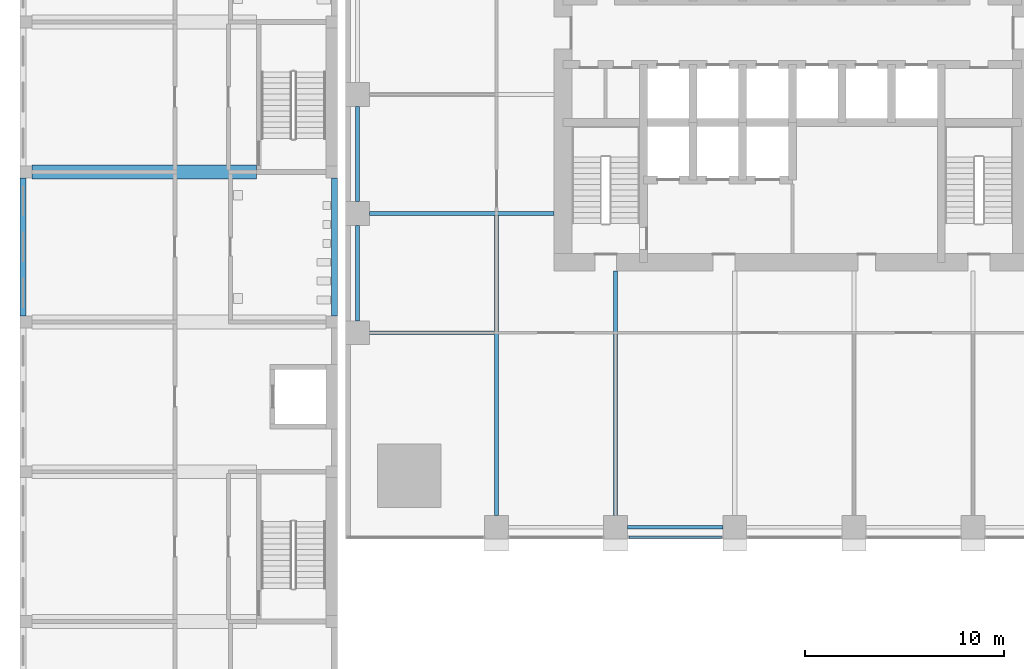
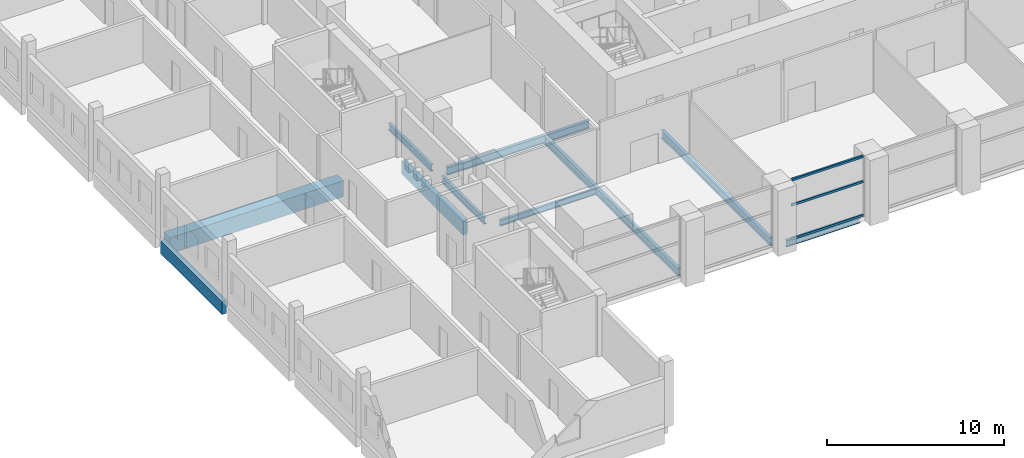
# One storey, part 3 of 34: 10 beams, 3 members, 1 element without a shape of its own.
"""IFC4 building model written with IfcOpenShell, lengths in metres."""

from ifc_helpers import new_model, si_unit, direction, frame, origin, origin_2d, place, context, subcontext, project, spatial, rectangle, i_section, extrude, material, material_profile, profile_set, type_object, element, aggregate, save


model = new_model("IFC4")

# Units and contexts
model_context = context("Model", 3, precision=1e-05, world=origin(), true_north=direction((0.0, 1.0)))
body_context = subcontext(model_context, "Body", "Model", "MODEL_VIEW")
ifc_project = project(units=[si_unit("LENGTHUNIT", "METRE"), si_unit("AREAUNIT", "SQUARE_METRE"), si_unit("VOLUMEUNIT", "CUBIC_METRE"), si_unit("PLANEANGLEUNIT", "RADIAN"), si_unit("MASSUNIT", "GRAM", prefix="KILO")], contexts=[model_context])

# Site, building, storey
site_placement = place(None, origin())
site = spatial("IfcSite", under=ifc_project, at=site_placement, CompositionType="ELEMENT")
building_placement = place(site_placement, origin())
building = spatial("IfcBuilding", under=site, at=building_placement, Name="Amberfall Residences", CompositionType="ELEMENT")
storey_placement = place(building_placement, frame((0.0, 0.0, 5.5)))
storey = spatial("IfcBuildingStorey", under=building, at=storey_placement, Name="L01", CompositionType="ELEMENT", Elevation=5.5)

# Curtain wall, members
ifc_material_1 = material(Name="Bronze anodised aluminium and glass", Category="aluminium")
curtain_wall_type = type_object("IfcCurtainWallType", Name="Curtain wall CW4 podium storefront", PredefinedType="USERDEFINED", material=ifc_material_1)
curtain_wall_placement = place(storey_placement, origin())
curtain_wall = element("IfcCurtainWall", 1, at=curtain_wall_placement, inside=storey, type_object=curtain_wall_type, Name="Storefront L01 S3", ObjectType="UNITISED CURTAIN WALL", PredefinedType="USERDEFINED")
ifc_material_2 = material(Name="Bronze anodised aluminium", Category="aluminium")
ifc_material_profile_1 = material_profile(ifc_material_2, rectangle(XDim=0.1201171875, YDim=0.14990234375, at=origin_2d()), Name="CW4 transom 120 x 150 bronze")
ifc_profile_set_1 = profile_set([ifc_material_profile_1], Name="Bronze anodised aluminium")
member_type = type_object("IfcMemberType", Name="CW4 transom 120 x 150 bronze", PredefinedType="USERDEFINED", material=ifc_profile_set_1)
member_1_placement = place(storey_placement, frame((66.27001953125, 20.10009765625, 0.074951171875), z_axis=(1.0, 0.0, 0.0), x_axis=(0.0, 1.0, 0.0)))
member_1 = element("IfcMember", 2, at=member_1_placement, type_object=member_type, Name="CW4 transom 1.1", ObjectType="TRANSOM", PredefinedType="USERDEFINED", context=body_context, shape_type="SweptSolid", body=[
    extrude(rectangle(XDim=0.1201171875, YDim=0.14990234375, at=origin_2d()), origin(), (0.0, 0.0, 1.0), 4.659912109375),
])
member_2_placement = place(storey_placement, frame((66.27001953125, 20.10009765625, 2.39990234375), z_axis=(1.0, 0.0, 0.0), x_axis=(0.0, 1.0, 0.0)))
member_2 = element("IfcMember", 3, at=member_2_placement, type_object=member_type, Name="CW4 transom 1.2", ObjectType="TRANSOM", PredefinedType="USERDEFINED", context=body_context, shape_type="SweptSolid", body=[
    extrude(rectangle(XDim=0.1201171875, YDim=0.14990234375, at=origin_2d()), origin(), (0.0, 0.0, 1.0), 4.659912109375),
])
member_3_placement = place(storey_placement, frame((66.27001953125, 20.10009765625, 4.125), z_axis=(1.0, 0.0, 0.0), x_axis=(0.0, 1.0, 0.0)))
member_3 = element("IfcMember", 4, at=member_3_placement, type_object=member_type, Name="CW4 transom 1.3", ObjectType="TRANSOM", PredefinedType="USERDEFINED", context=body_context, shape_type="SweptSolid", body=[
    extrude(rectangle(XDim=0.1201171875, YDim=0.14990234375, at=origin_2d()), origin(), (0.0, 0.0, 1.0), 4.659912109375),
])
aggregate(curtain_wall, [member_1, member_2, member_3])

# Beams
ifc_material_3 = material(Name="Steel S355", Category="steel")
ifc_material_profile_2 = material_profile(ifc_material_3, i_section(OverallWidth=0.18994140625, OverallDepth=0.453369140625, WebThickness=0.008544921875, FlangeThickness=0.0126953125, FilletRadius=0.01025390625, at=origin_2d()), Name="UB 457x191x67")
ifc_profile_set_2 = profile_set([ifc_material_profile_2], Name="Steel S355")
beam_type_1 = type_object("IfcBeamType", Name="Edge beam UB 457x191x67", PredefinedType="SPANDREL", material=ifc_profile_set_2)
for number, where, z_axis, x_axis, name in (
    (5, (66.199951171875, 20.60009765625, -0.526611328125), (1.0, 0.0, 0.0), (0.0, 1.0, 0.0), "Edge beam B1 L01 02"),
    (6, (52.60009765625, 31.0, -0.526611328125), (0.0, 1.0, 0.0), (-1.0, 0.0, 0.0), "Edge beam B1 L01 34"),
    (7, (52.60009765625, 37.0, -0.526611328125), (0.0, 1.0, 0.0), (-1.0, 0.0, 0.0), "Edge beam B1 L01 35"),
):
    element("IfcBeam", number, at=place(storey_placement, frame(where, z_axis=z_axis, x_axis=x_axis)), inside=storey, type_object=beam_type_1, Name=name, PredefinedType="SPANDREL", context=body_context, shape_type="SweptSolid", body=[
        extrude(i_section(OverallWidth=0.18994140625, OverallDepth=0.453369140625, WebThickness=0.008544921875, FlangeThickness=0.0126953125, FilletRadius=0.01025390625, at=origin_2d()), origin(), (0.0, 0.0, 1.0), 4.800048828125),
    ])
ifc_material_profile_3 = material_profile(ifc_material_3, i_section(OverallWidth=0.177734375, OverallDepth=0.402587890625, WebThickness=0.0078125, FlangeThickness=0.010986328125, FilletRadius=0.01025390625, at=origin_2d()), Name="UB 406x178x54")
ifc_profile_set_3 = profile_set([ifc_material_profile_3], Name="Steel S355")
beam_type_2 = type_object("IfcBeamType", Name="Floor girder UB 406x178x54", PredefinedType="BEAM", material=ifc_profile_set_3)
beam_1_placement = place(storey_placement, frame((53.199951171875, 30.39990234375, -0.501220703125), z_axis=(1.0, 0.0, 0.0), x_axis=(0.0, 1.0, 0.0)))
element("IfcBeam", 8, at=beam_1_placement, inside=storey, type_object=beam_type_2, Name="Floor girder B4 L01 39", PredefinedType="BEAM", context=body_context, shape_type="SweptSolid", body=[
    extrude(i_section(OverallWidth=0.177734375, OverallDepth=0.402587890625, WebThickness=0.0078125, FlangeThickness=0.010986328125, FilletRadius=0.01025390625, at=origin_2d()), origin(), (0.0, 0.0, 1.0), 6.280029296875),
])
ifc_material_profile_4 = material_profile(ifc_material_3, i_section(OverallWidth=0.210693359375, OverallDepth=0.53955078125, WebThickness=0.01171875, FlangeThickness=0.018798828125, FilletRadius=0.0126953125, at=origin_2d()), Name="UB 533x210x109")
ifc_profile_set_4 = profile_set([ifc_material_profile_4], Name="Steel S355")
beam_type_3 = type_object("IfcBeamType", Name="Floor girder UB 533x210x109", PredefinedType="BEAM", material=ifc_profile_set_4)
beam_2_placement = place(storey_placement, frame((59.60009765625, 21.199951171875, -0.56982421875), z_axis=(0.0, 1.0, 0.0), x_axis=(-1.0, 0.0, 0.0)))
element("IfcBeam", 9, at=beam_2_placement, inside=storey, type_object=beam_type_3, Name="Floor girder B2 L01 06", PredefinedType="BEAM", context=body_context, shape_type="SweptSolid", body=[
    extrude(i_section(OverallWidth=0.210693359375, OverallDepth=0.53955078125, WebThickness=0.01171875, FlangeThickness=0.018798828125, FilletRadius=0.0126953125, at=origin_2d()), origin(), (0.0, 0.0, 1.0), 15.100341796875),
])
beam_3_placement = place(storey_placement, frame((65.60009765625, 21.199951171875, -0.56982421875), z_axis=(0.0, 1.0, 0.0), x_axis=(-1.0, 0.0, 0.0)))
element("IfcBeam", 10, at=beam_3_placement, inside=storey, type_object=beam_type_3, Name="Floor girder B2 L01 07", PredefinedType="BEAM", context=body_context, shape_type="SweptSolid", body=[
    extrude(i_section(OverallWidth=0.210693359375, OverallDepth=0.53955078125, WebThickness=0.01171875, FlangeThickness=0.018798828125, FilletRadius=0.0126953125, at=origin_2d()), origin(), (0.0, 0.0, 1.0), 12.300048828125),
])
ifc_material_profile_5 = material_profile(ifc_material_3, i_section(OverallWidth=0.209228515625, OverallDepth=0.533203125, WebThickness=0.010009765625, FlangeThickness=0.015625, FilletRadius=0.0126953125, at=origin_2d()), Name="UB 533x210x92")
ifc_profile_set_5 = profile_set([ifc_material_profile_5], Name="Steel S355")
beam_type_4 = type_object("IfcBeamType", Name="Floor girder UB 533x210x92", PredefinedType="BEAM", material=ifc_profile_set_5)
beam_4_placement = place(storey_placement, frame((53.199951171875, 36.39990234375, -0.566650390625), z_axis=(1.0, 0.0, 0.0), x_axis=(0.0, 1.0, 0.0)))
element("IfcBeam", 11, at=beam_4_placement, inside=storey, type_object=beam_type_4, Name="Floor girder B3 L01 40", PredefinedType="BEAM", context=body_context, shape_type="SweptSolid", body=[
    extrude(i_section(OverallWidth=0.209228515625, OverallDepth=0.533203125, WebThickness=0.010009765625, FlangeThickness=0.015625, FilletRadius=0.0126953125, at=origin_2d()), origin(), (0.0, 0.0, 1.0), 9.300048828125),
])
ifc_material_4 = material(Name="Concrete C40", Category="concrete")
ifc_material_profile_6 = material_profile(ifc_material_4, rectangle(XDim=0.699951171875, YDim=1.10009765625, at=origin_2d()), Name="School beam 700 x 1100 C40")
ifc_profile_set_6 = profile_set([ifc_material_profile_6], Name="Concrete C40")
beam_type_5 = type_object("IfcBeamType", Name="School beam 700 x 1100 C40", PredefinedType="BEAM", material=ifc_profile_set_6)
beam_5_placement = place(storey_placement, frame((36.199951171875, 38.5, -0.85009765625), z_axis=(1.0, 0.0, 0.0), x_axis=(0.0, 1.0, 0.0)))
element("IfcBeam", 12, at=beam_5_placement, inside=storey, type_object=beam_type_5, Name="TW4", PredefinedType="BEAM", context=body_context, shape_type="SweptSolid", body=[
    extrude(rectangle(XDim=0.699951171875, YDim=1.10009765625, at=origin_2d()), origin(), (0.0, 0.0, 1.0), 11.300048828125),
])
ifc_material_profile_7 = material_profile(ifc_material_4, rectangle(XDim=0.300048828125, YDim=0.89990234375, at=origin_2d()), Name="School edge beam 300 x 900 C40")
ifc_profile_set_7 = profile_set([ifc_material_profile_7], Name="Concrete C40")
beam_type_6 = type_object("IfcBeamType", Name="School edge beam 300 x 900 C40", PredefinedType="BEAM", material=ifc_profile_set_7)
for number, where, z_axis, x_axis, name in (
    (13, (35.75, 31.25, -0.75), (0.0, 1.0, 0.0), (-1.0, 0.0, 0.0), "GW3"),
    (14, (51.449951171875, 31.25, -0.75), (0.0, 1.0, 0.0), (-1.0, 0.0, 0.0), "GE3"),
):
    element("IfcBeam", number, at=place(storey_placement, frame(where, z_axis=z_axis, x_axis=x_axis)), inside=storey, type_object=beam_type_6, Name=name, PredefinedType="BEAM", context=body_context, shape_type="SweptSolid", body=[
        extrude(rectangle(XDim=0.300048828125, YDim=0.89990234375, at=origin_2d()), origin(), (0.0, 0.0, 1.0), 6.949951171875),
    ])

save(model, "model.ifc")
